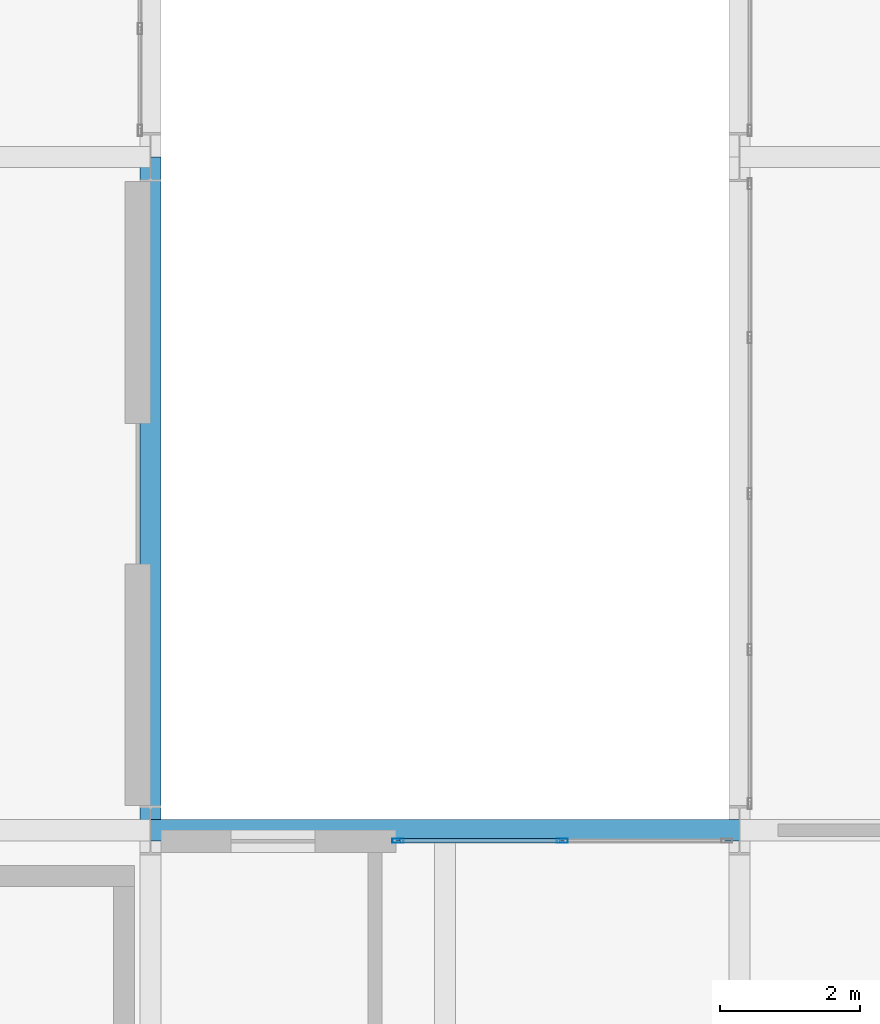
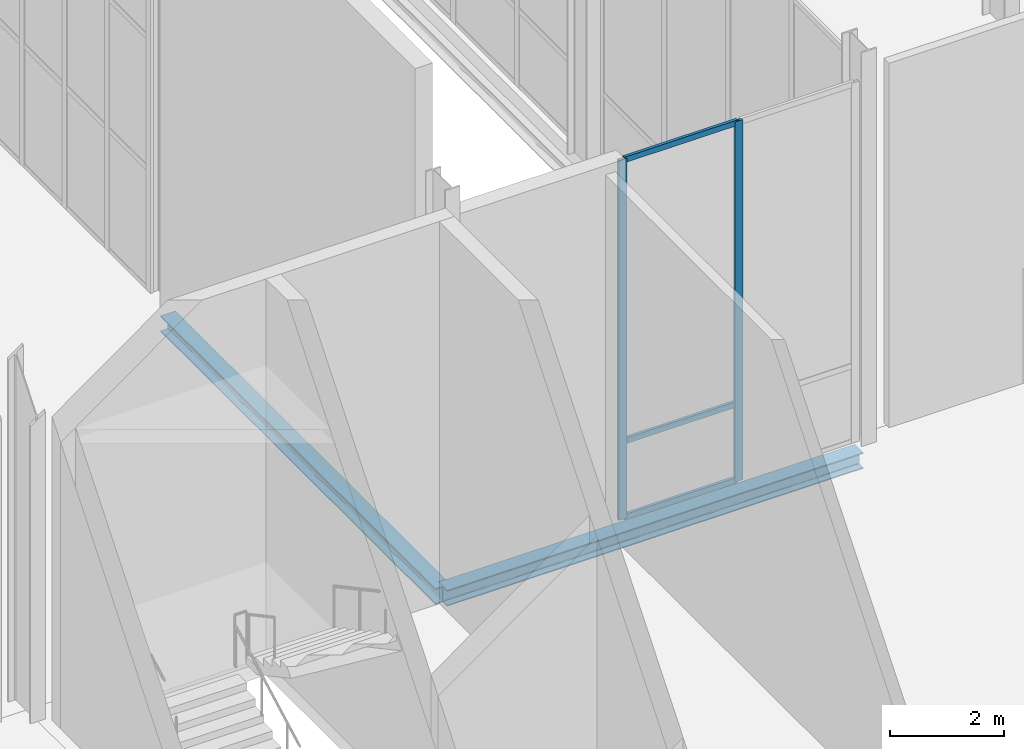
# One storey, part 51 of 131: 5 members, 2 beams, 1 element without a shape of its own.
"""IFC4 building model written with IfcOpenShell, lengths in metres."""

from ifc_helpers import new_model, si_unit, direction, frame, origin, origin_2d, place, context, subcontext, project, spatial, hollow_rectangle, i_section, extrude, material, material_profile, profile_set, type_object, element, aggregate, save


model = new_model("IFC4")

# Units and contexts
model_context = context("Model", 3, precision=1e-05, world=origin(), true_north=direction((0.0, 1.0)))
body_context = subcontext(model_context, "Body", "Model", "MODEL_VIEW")
ifc_project = project(units=[si_unit("LENGTHUNIT", "METRE"), si_unit("AREAUNIT", "SQUARE_METRE"), si_unit("VOLUMEUNIT", "CUBIC_METRE"), si_unit("PLANEANGLEUNIT", "RADIAN"), si_unit("MASSUNIT", "GRAM", prefix="KILO")], contexts=[model_context])

# Site, building, storey
site_placement = place(None, origin())
site = spatial("IfcSite", under=ifc_project, at=site_placement, CompositionType="ELEMENT")
building_placement = place(site_placement, origin())
building = spatial("IfcBuilding", under=site, at=building_placement, Name="Veltarok Museum of Natural Sciences", CompositionType="ELEMENT")
storey_placement = place(building_placement, origin())
storey = spatial("IfcBuildingStorey", under=building, at=storey_placement, Name="L00", CompositionType="ELEMENT", Elevation=0.0)

# Curtain wall, members
ifc_material_1 = material(Name="Low-iron triple insulated glass", Category="glass")
curtain_wall_type = type_object("IfcCurtainWallType", Name="Curtain Wall System CW-V2NH-L00-2-475x768 (CW-V2NH L00 475x768cm)", PredefinedType="NOTDEFINED", material=ifc_material_1)
curtain_wall_placement = place(storey_placement, origin())
curtain_wall = element("IfcCurtainWall", 1, at=curtain_wall_placement, inside=storey, type_object=curtain_wall_type, Name="Curtain Wall CW-V2NH-L00-2-475x768 CW-0150", PredefinedType="NOTDEFINED")
ifc_material_2 = material(Name="Thermally broken anodised aluminium", Category="aluminium")
ifc_material_profile_1 = material_profile(ifc_material_2, hollow_rectangle(XDim=0.06005859375, YDim=0.1201171875, WallThickness=0.0048828125, at=origin_2d()), Name="CW TRANSOM 60x120x5")
ifc_profile_set_1 = profile_set([ifc_material_profile_1], Name="Thermally broken anodised aluminium")
member_type_1 = type_object("IfcMemberType", Name="Curtain Wall Horizontal Transom 60x120x5", PredefinedType="USERDEFINED", material=ifc_profile_set_1)
member_1_placement = place(storey_placement, frame((54.2451171875, 71.85009765625, 0.028076171875), z_axis=(-1.0, 0.0, 0.0), x_axis=(0.0, -1.0, 0.0)))
member_1 = element("IfcMember", 2, at=member_1_placement, type_object=member_type_1, Name="CW-V2NH-L00-2-475x768 transom 2.1", ObjectType="TRANSOM", PredefinedType="USERDEFINED", context=body_context, shape_type="SweptSolid", body=[
    extrude(hollow_rectangle(XDim=0.06005859375, YDim=0.1201171875, WallThickness=0.0048828125, at=origin_2d()), origin(), (0.0, 0.0, 1.0), 2.28515625),
])
member_2_placement = place(storey_placement, frame((54.2451171875, 71.85009765625, 1.64794921875), z_axis=(-1.0, 0.0, 0.0), x_axis=(0.0, -1.0, 0.0)))
member_2 = element("IfcMember", 3, at=member_2_placement, type_object=member_type_1, Name="CW-V2NH-L00-2-475x768 transom 2.2", ObjectType="TRANSOM", PredefinedType="USERDEFINED", context=body_context, shape_type="SweptSolid", body=[
    extrude(hollow_rectangle(XDim=0.06005859375, YDim=0.1201171875, WallThickness=0.0048828125, at=origin_2d()), origin(), (0.0, 0.0, 1.0), 2.28515625),
])
member_3_placement = place(storey_placement, frame((54.2451171875, 71.85009765625, 7.64990234375), z_axis=(-1.0, 0.0, 0.0), x_axis=(0.0, -1.0, 0.0)))
member_3 = element("IfcMember", 4, at=member_3_placement, type_object=member_type_1, Name="CW-V2NH-L00-2-475x768 transom 2.3", ObjectType="TRANSOM", PredefinedType="USERDEFINED", context=body_context, shape_type="SweptSolid", body=[
    extrude(hollow_rectangle(XDim=0.06005859375, YDim=0.1201171875, WallThickness=0.0048828125, at=origin_2d()), origin(), (0.0, 0.0, 1.0), 2.28515625),
])
ifc_material_profile_2 = material_profile(ifc_material_2, hollow_rectangle(XDim=0.06005859375, YDim=0.159912109375, WallThickness=0.0048828125, at=origin_2d()), Name="CW MULLION 60x160x5")
ifc_profile_set_2 = profile_set([ifc_material_profile_2], Name="Thermally broken anodised aluminium")
member_type_2 = type_object("IfcMemberType", Name="Curtain Wall Vertical Mullion 60x160x5", PredefinedType="MULLION", material=ifc_profile_set_2)
member_4_placement = place(storey_placement, frame((54.27490234375, 71.85009765625, -0.001953125), z_axis=(0.0, 0.0, 1.0), x_axis=(0.0, -1.0, 0.0)))
member_4 = element("IfcMember", 5, at=member_4_placement, type_object=member_type_2, Name="CW-V2NH-L00-2-475x768 mullion 2", PredefinedType="MULLION", context=body_context, shape_type="SweptSolid", body=[
    extrude(hollow_rectangle(XDim=0.06005859375, YDim=0.159912109375, WallThickness=0.0048828125, at=origin_2d()), origin(), (0.0, 0.0, 1.0), 7.681884765625),
])
member_5_placement = place(storey_placement, frame((51.929931640625, 71.85009765625, -0.001953125), z_axis=(0.0, 0.0, 1.0), x_axis=(0.0, -1.0, 0.0)))
member_5 = element("IfcMember", 6, at=member_5_placement, type_object=member_type_2, Name="CW-V2NH-L00-2-475x768 mullion 3", PredefinedType="MULLION", context=body_context, shape_type="SweptSolid", body=[
    extrude(hollow_rectangle(XDim=0.06005859375, YDim=0.159912109375, WallThickness=0.0048828125, at=origin_2d()), origin(), (0.0, 0.0, 1.0), 7.681884765625),
])
aggregate(curtain_wall, [member_4, member_5, member_1, member_2, member_3])

# Beams
ifc_material_3 = material(Name="Steel S355J2", Category="steel")
ifc_material_profile_3 = material_profile(ifc_material_3, i_section(OverallWidth=0.300048828125, OverallDepth=0.340087890625, WebThickness=0.011962890625, FlangeThickness=0.021484375, FilletRadius=0.027099609375, at=origin_2d()), Name="HEB 340")
ifc_profile_set_3 = profile_set([ifc_material_profile_3], Name="Steel S355J2")
beam_type = type_object("IfcBeamType", Name="Perimeter Bridge Spandrel HEB 340", PredefinedType="SPANDREL", material=ifc_profile_set_3)
beam_1_placement = place(storey_placement, frame((48.39990234375, 72.0, -0.469970703125), z_axis=(1.0, 0.0, 0.0), x_axis=(0.0, 1.0, 0.0)))
element("IfcBeam", 7, at=beam_1_placement, inside=storey, type_object=beam_type, Name="Beam BM-SP07 L00 6-7/H", PredefinedType="SPANDREL", context=body_context, shape_type="SweptSolid", body=[
    extrude(i_section(OverallWidth=0.300048828125, OverallDepth=0.340087890625, WebThickness=0.011962890625, FlangeThickness=0.021484375, FilletRadius=0.027099609375, at=origin_2d()), origin(), (0.0, 0.0, 1.0), 8.400146484375),
])
beam_2_placement = place(storey_placement, frame((48.39990234375, 72.0, -0.469970703125), z_axis=(0.0, 1.0, 0.0), x_axis=(-1.0, 0.0, 0.0)))
element("IfcBeam", 8, at=beam_2_placement, inside=storey, type_object=beam_type, Name="Beam BM-SP07 L00 6/H-J", PredefinedType="SPANDREL", context=body_context, shape_type="SweptSolid", body=[
    extrude(i_section(OverallWidth=0.300048828125, OverallDepth=0.340087890625, WebThickness=0.011962890625, FlangeThickness=0.021484375, FilletRadius=0.027099609375, at=origin_2d()), origin(), (0.0, 0.0, 1.0), 9.60009765625),
])

save(model, "model.ifc")
